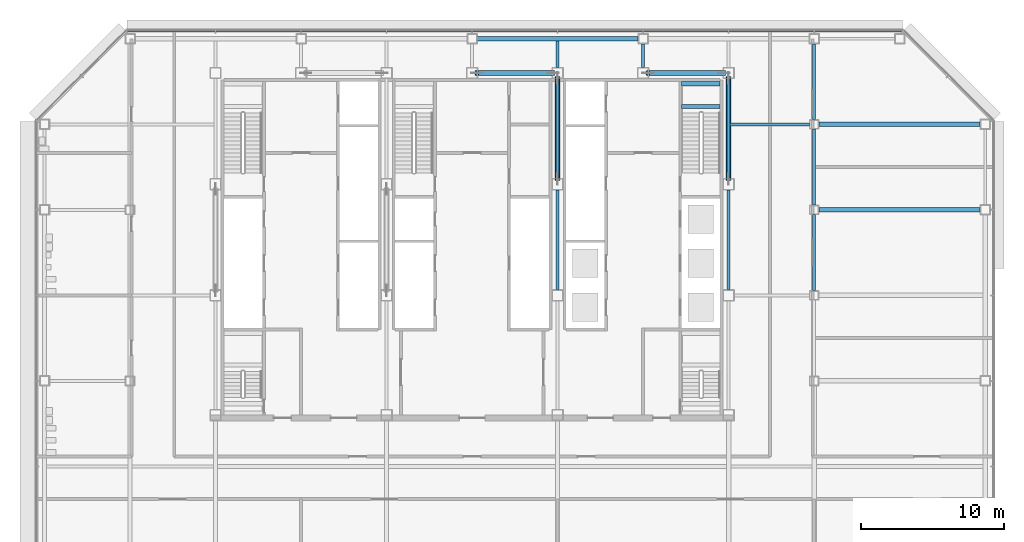
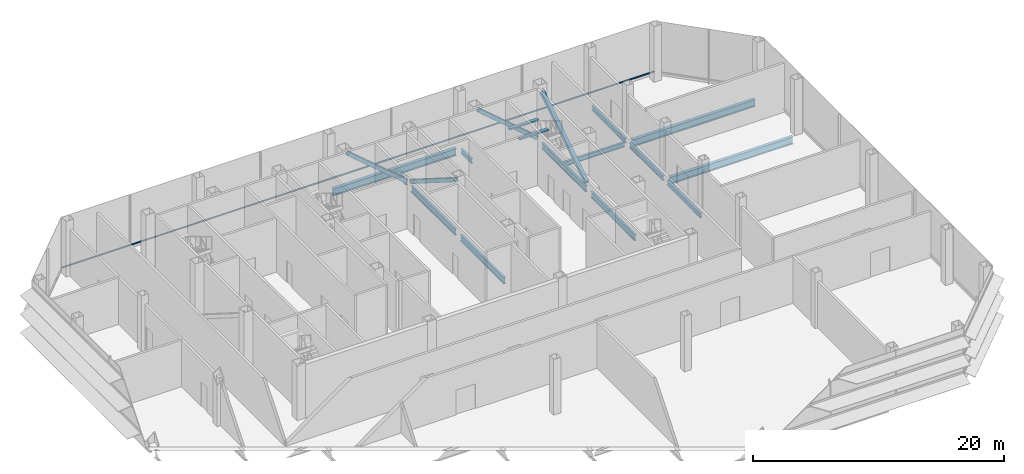
# One storey, part 10 of 24: 15 beams, 5 members, 1 element without a shape of its own.
"""IFC4 building model written with IfcOpenShell, lengths in metres."""

from ifc_helpers import new_model, si_unit, direction, frame, origin, origin_2d, place, context, subcontext, project, spatial, rectangle, hollow_rectangle, i_section, extrude, material, material_profile, profile_set, type_object, element, aggregate, save


model = new_model("IFC4")

# Units and contexts
model_context = context("Model", 3, precision=1e-05, world=origin(), true_north=direction((0.0, 1.0)))
body_context = subcontext(model_context, "Body", "Model", "MODEL_VIEW")
ifc_project = project(units=[si_unit("LENGTHUNIT", "METRE"), si_unit("AREAUNIT", "SQUARE_METRE"), si_unit("VOLUMEUNIT", "CUBIC_METRE"), si_unit("PLANEANGLEUNIT", "RADIAN"), si_unit("MASSUNIT", "GRAM", prefix="KILO")], contexts=[model_context])

# Site, building, storey
site_placement = place(None, origin())
site = spatial("IfcSite", under=ifc_project, at=site_placement, CompositionType="ELEMENT")
building_placement = place(site_placement, origin())
building = spatial("IfcBuilding", under=site, at=building_placement, Name="Sorahane Residences", CompositionType="ELEMENT")
storey_placement = place(building_placement, frame((0.0, 0.0, 161.800048828125)))
storey = spatial("IfcBuildingStorey", under=building, at=storey_placement, Name="L37", CompositionType="ELEMENT", Elevation=161.800048828125)

# Members
ifc_material_1 = material(Name="Steel Q355B", Category="steel")
ifc_material_profile_1 = material_profile(ifc_material_1, hollow_rectangle(XDim=0.35009765625, YDim=0.35009765625, WallThickness=0.01806640625, InnerFilletRadius=0.009033203125, OuterFilletRadius=0.027099609375, at=origin_2d()), Name="RHS 350x350x18")
ifc_profile_set_1 = profile_set([ifc_material_profile_1], Name="Steel Q355B")
member_type_1 = type_object("IfcMemberType", Name="Core brace RHS 350x350x18 Q355B", PredefinedType="BRACE", material=ifc_profile_set_1)
for number, where, z_axis, x_axis, name in (
    (1, (29.66796875, 45.60009765625, 0.1171875), (-0.761932436496, 0.0, 0.647656515612), (0.0, -1.0, 0.0), "Core brace L37 y45.6-4"),
    (2, (41.66796875, 45.60009765625, 0.1171875), (-0.761932436496, 0.0, 0.647656515612), (0.0, -1.0, 0.0), "Core brace L37 y45.6-6"),
):
    element("IfcMember", number, at=place(storey_placement, frame(where, z_axis=z_axis, x_axis=x_axis)), inside=storey, type_object=member_type_1, Name=name, PredefinedType="BRACE", context=body_context, shape_type="SweptSolid", body=[
        extrude(hollow_rectangle(XDim=0.35009765625, YDim=0.35009765625, WallThickness=0.01806640625, InnerFilletRadius=0.009033203125, OuterFilletRadius=0.027099609375, at=origin_2d()), origin(), (0.0, 0.0, 1.0), 7.003173828125),
    ])
for number, where, z_axis, x_axis, name in (
    (3, (42.0, 38.14404296875, 0.1396484375), (0.0, 0.845548213739, 0.533899071213), (-1.0, 0.0, 0.0), "Core brace L37 x42-3"),
    (4, (30.0, 45.256103515625, 0.1396484375), (0.0, -0.845548213739, 0.533899071213), (1.0, 0.0, 0.0), "Core brace L37 x30-2"),
):
    element("IfcMember", number, at=place(storey_placement, frame(where, z_axis=z_axis, x_axis=x_axis)), inside=storey, type_object=member_type_1, Name=name, PredefinedType="BRACE", context=body_context, shape_type="SweptSolid", body=[
        extrude(hollow_rectangle(XDim=0.35009765625, YDim=0.35009765625, WallThickness=0.01806640625, InnerFilletRadius=0.009033203125, OuterFilletRadius=0.027099609375, at=origin_2d()), origin(), (0.0, 0.0, 1.0), 8.4111328125),
    ])

# Curtain wall, member
ifc_material_2 = material(Name="Dark low-e glass and black anodised aluminium", Category="aluminium")
curtain_wall_type = type_object("IfcCurtainWallType", Name="Curtain wall CW-4 Sky floor frameless wall", PredefinedType="NOTDEFINED", material=ifc_material_2)
curtain_wall_placement = place(storey_placement, origin())
curtain_wall = element("IfcCurtainWall", 5, at=curtain_wall_placement, inside=storey, type_object=curtain_wall_type, Name="CW-4 curtain wall L37 N1", PredefinedType="NOTDEFINED")
ifc_material_3 = material(Name="Black anodised aluminium", Category="aluminium")
ifc_material_profile_2 = material_profile(ifc_material_3, rectangle(XDim=0.10009765625, YDim=0.06005859375, at=origin_2d()), Name="Curtain wall transom CW-4 black anodised aluminium 60x100")
ifc_profile_set_2 = profile_set([ifc_material_profile_2], Name="Black anodised aluminium")
member_type_2 = type_object("IfcMemberType", Name="Curtain wall transom CW-4 black anodised aluminium 60x100", PredefinedType="USERDEFINED", material=ifc_profile_set_2)
member_placement = place(storey_placement, frame((54.198486328125, 48.530029296875, 0.349853515625), z_axis=(-1.0, 0.0, 0.0), x_axis=(0.0, -1.0, 0.0)))
member = element("IfcMember", 6, at=member_placement, type_object=member_type_2, Name="CW-4 transom L37 N1", ObjectType="TRANSOM", PredefinedType="USERDEFINED", context=body_context, shape_type="SweptSolid", body=[
    extrude(rectangle(XDim=0.10009765625, YDim=0.06005859375, at=origin_2d()), origin(), (0.0, 0.0, 1.0), 54.39697265625),
])
aggregate(curtain_wall, [member])

# Beams
ifc_material_4 = material(Name="Concrete C40", Category="concrete")
ifc_material_profile_3 = material_profile(ifc_material_4, rectangle(XDim=0.300048828125, YDim=0.139892578125, at=origin_2d()), Name="300x140")
ifc_profile_set_3 = profile_set([ifc_material_profile_3], Name="Concrete C40")
beam_type_1 = type_object("IfcBeamType", Name="RC landing beam 300 x 140 Concrete C40", PredefinedType="BEAM", material=ifc_profile_set_3)
for number, where, z_axis, x_axis, name in (
    (7, (38.699951171875, 43.25, 2.429931640625), (1.0, 0.0, 0.0), (0.0, 1.0, 0.0), "Landing beam"),
    (8, (38.699951171875, 44.85009765625, 2.429931640625), (1.0, 0.0, 0.0), (0.0, 1.0, 0.0), "Landing beam"),
):
    element("IfcBeam", number, at=place(storey_placement, frame(where, z_axis=z_axis, x_axis=x_axis)), inside=storey, type_object=beam_type_1, Name=name, PredefinedType="BEAM", context=body_context, shape_type="SweptSolid", body=[
        extrude(rectangle(XDim=0.300048828125, YDim=0.139892578125, at=origin_2d()), origin(), (0.0, 0.0, 1.0), 2.699951171875),
    ])
ifc_material_5 = material(Name="Steel Q355B", Category="steel")
ifc_material_profile_4 = material_profile(ifc_material_5, i_section(OverallWidth=0.199951171875, OverallDepth=0.449951171875, WebThickness=0.009033203125, FlangeThickness=0.013916015625, FilletRadius=0.02001953125, at=origin_2d()), Name="HN 450x200x9x14")
ifc_profile_set_4 = profile_set([ifc_material_profile_4], Name="Steel Q355B")
beam_type_2 = type_object("IfcBeamType", Name="Steel floor beam HN 450x200x9x14 Q355B", PredefinedType="BEAM", material=ifc_profile_set_4)
beam_1_placement = place(storey_placement, frame((30.0, 46.0, -0.445068359375), z_axis=(0.0, 1.0, 0.0), x_axis=(-1.0, 0.0, 0.0)))
element("IfcBeam", 9, at=beam_1_placement, inside=storey, type_object=beam_type_2, Name="Beam L37 049", PredefinedType="BEAM", context=body_context, shape_type="SweptSolid", body=[
    extrude(i_section(OverallWidth=0.199951171875, OverallDepth=0.449951171875, WebThickness=0.009033203125, FlangeThickness=0.013916015625, FilletRadius=0.02001953125, at=origin_2d()), origin(), (0.0, 0.0, 1.0), 1.85009765625),
])
beam_2_placement = place(storey_placement, frame((36.0, 46.0, -0.445068359375), z_axis=(0.0, 1.0, 0.0), x_axis=(-1.0, 0.0, 0.0)))
element("IfcBeam", 10, at=beam_2_placement, inside=storey, type_object=beam_type_2, Name="Beam L37 051", PredefinedType="BEAM", context=body_context, shape_type="SweptSolid", body=[
    extrude(i_section(OverallWidth=0.199951171875, OverallDepth=0.449951171875, WebThickness=0.009033203125, FlangeThickness=0.013916015625, FilletRadius=0.02001953125, at=origin_2d()), origin(), (0.0, 0.0, 1.0), 1.64990234375),
])
for number, where, z_axis, x_axis, name in (
    (11, (48.0, 30.324951171875, -0.445068359375), (0.0, 1.0, 0.0), (-1.0, 0.0, 0.0), "Beam L37 061"),
    (12, (48.0, 36.324951171875, -0.445068359375), (0.0, 1.0, 0.0), (-1.0, 0.0, 0.0), "Beam L37 062"),
):
    element("IfcBeam", number, at=place(storey_placement, frame(where, z_axis=z_axis, x_axis=x_axis)), inside=storey, type_object=beam_type_2, Name=name, PredefinedType="BEAM", context=body_context, shape_type="SweptSolid", body=[
        extrude(i_section(OverallWidth=0.199951171875, OverallDepth=0.449951171875, WebThickness=0.009033203125, FlangeThickness=0.013916015625, FilletRadius=0.02001953125, at=origin_2d()), origin(), (0.0, 0.0, 1.0), 5.35009765625),
    ])
beam_3_placement = place(storey_placement, frame((48.0, 42.324951171875, -0.445068359375), z_axis=(0.0, 1.0, 0.0), x_axis=(-1.0, 0.0, 0.0)))
element("IfcBeam", 13, at=beam_3_placement, inside=storey, type_object=beam_type_2, Name="Beam L37 063", PredefinedType="BEAM", context=body_context, shape_type="SweptSolid", body=[
    extrude(i_section(OverallWidth=0.199951171875, OverallDepth=0.449951171875, WebThickness=0.009033203125, FlangeThickness=0.013916015625, FilletRadius=0.02001953125, at=origin_2d()), origin(), (0.0, 0.0, 1.0), 5.324951171875),
])
beam_4_placement = place(storey_placement, frame((42.10009765625, 42.0, -0.445068359375), z_axis=(1.0, 0.0, 0.0), x_axis=(0.0, 1.0, 0.0)))
element("IfcBeam", 14, at=beam_4_placement, inside=storey, type_object=beam_type_2, Name="Beam L37 091", PredefinedType="BEAM", context=body_context, shape_type="SweptSolid", body=[
    extrude(i_section(OverallWidth=0.199951171875, OverallDepth=0.449951171875, WebThickness=0.009033203125, FlangeThickness=0.013916015625, FilletRadius=0.02001953125, at=origin_2d()), origin(), (0.0, 0.0, 1.0), 5.574951171875),
])
ifc_material_6 = material(Name="Steel Q355B", Category="steel")
ifc_material_profile_5 = material_profile(ifc_material_6, i_section(OverallWidth=0.199951171875, OverallDepth=0.60009765625, WebThickness=0.010986328125, FlangeThickness=0.01708984375, FilletRadius=0.02392578125, at=origin_2d()), Name="HN 600x200x11x17")
ifc_profile_set_5 = profile_set([ifc_material_profile_5], Name="Steel Q355B")
beam_type_3 = type_object("IfcBeamType", Name="Steel floor beam HN 600x200x11x17 Q355B", PredefinedType="BEAM", material=ifc_profile_set_5)
for number, where, z_axis, x_axis, name in (
    (15, (30.0, 30.39990234375, -0.52001953125), (0.0, 1.0, 0.0), (-1.0, 0.0, 0.0), "Beam L37 047"),
    (16, (30.0, 38.199951171875, -0.52001953125), (0.0, 1.0, 0.0), (-1.0, 0.0, 0.0), "Beam L37 048"),
    (17, (42.0, 30.39990234375, -0.52001953125), (0.0, 1.0, 0.0), (-1.0, 0.0, 0.0), "Beam L37 055"),
    (18, (42.0, 38.199951171875, -0.52001953125), (0.0, 1.0, 0.0), (-1.0, 0.0, 0.0), "Beam L37 056"),
):
    element("IfcBeam", number, at=place(storey_placement, frame(where, z_axis=z_axis, x_axis=x_axis)), inside=storey, type_object=beam_type_3, Name=name, PredefinedType="BEAM", context=body_context, shape_type="SweptSolid", body=[
        extrude(i_section(OverallWidth=0.199951171875, OverallDepth=0.60009765625, WebThickness=0.010986328125, FlangeThickness=0.01708984375, FilletRadius=0.02392578125, at=origin_2d()), origin(), (0.0, 0.0, 1.0), 7.0),
    ])
ifc_material_7 = material(Name="Steel Q355B", Category="steel")
ifc_material_profile_6 = material_profile(ifc_material_7, i_section(OverallWidth=0.300048828125, OverallDepth=0.699951171875, WebThickness=0.012939453125, FlangeThickness=0.02392578125, FilletRadius=0.028076171875, at=origin_2d()), Name="HN 700x300x13x24")
ifc_profile_set_6 = profile_set([ifc_material_profile_6], Name="Steel Q355B")
beam_type_4 = type_object("IfcBeamType", Name="Steel floor beam HN 700x300x13x24 Q355B", PredefinedType="BEAM", material=ifc_profile_set_6)
beam_5_placement = place(storey_placement, frame((48.324951171875, 36.0, -0.570068359375), z_axis=(1.0, 0.0, 0.0), x_axis=(0.0, 1.0, 0.0)))
element("IfcBeam", 19, at=beam_5_placement, inside=storey, type_object=beam_type_4, Name="Beam L37 014", PredefinedType="BEAM", context=body_context, shape_type="SweptSolid", body=[
    extrude(i_section(OverallWidth=0.300048828125, OverallDepth=0.699951171875, WebThickness=0.012939453125, FlangeThickness=0.02392578125, FilletRadius=0.028076171875, at=origin_2d()), origin(), (0.0, 0.0, 1.0), 11.324951171875),
])
beam_6_placement = place(storey_placement, frame((24.35009765625, 48.0, -0.570068359375), z_axis=(1.0, 0.0, 0.0), x_axis=(0.0, 1.0, 0.0)))
element("IfcBeam", 20, at=beam_6_placement, inside=storey, type_object=beam_type_4, Name="Beam L37 017", PredefinedType="BEAM", context=body_context, shape_type="SweptSolid", body=[
    extrude(i_section(OverallWidth=0.300048828125, OverallDepth=0.699951171875, WebThickness=0.012939453125, FlangeThickness=0.02392578125, FilletRadius=0.028076171875, at=origin_2d()), origin(), (0.0, 0.0, 1.0), 11.2998046875),
])
beam_7_placement = place(storey_placement, frame((48.324951171875, 42.0, -0.570068359375), z_axis=(1.0, 0.0, 0.0), x_axis=(0.0, 1.0, 0.0)))
element("IfcBeam", 21, at=beam_7_placement, inside=storey, type_object=beam_type_4, Name="Beam L37 092", PredefinedType="BEAM", context=body_context, shape_type="SweptSolid", body=[
    extrude(i_section(OverallWidth=0.300048828125, OverallDepth=0.699951171875, WebThickness=0.012939453125, FlangeThickness=0.02392578125, FilletRadius=0.028076171875, at=origin_2d()), origin(), (0.0, 0.0, 1.0), 11.324951171875),
])

save(model, "model.ifc")
